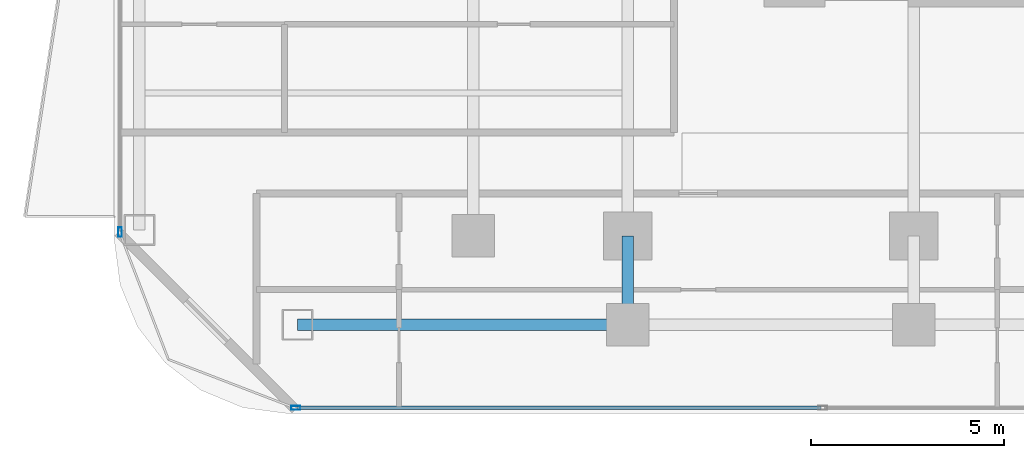
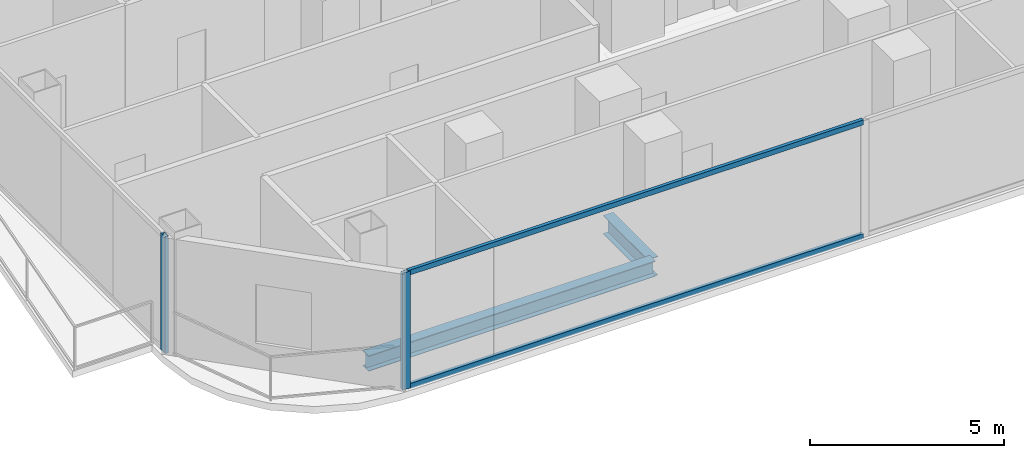
# One storey, part 2 of 28: 4 members, 2 beams, 2 elements without a shape of their own.
"""IFC4 building model written with IfcOpenShell, lengths in metres."""

from ifc_helpers import new_model, si_unit, direction, frame, origin, origin_2d, place, context, subcontext, project, spatial, hollow_rectangle, i_section, extrude, material, layer, layer_set, material_profile, profile_set, type_object, element, aggregate, save


model = new_model("IFC4")

# Units and contexts
model_context = context("Model", 3, precision=1e-05, world=origin(), true_north=direction((0.0, 1.0)))
body_context = subcontext(model_context, "Body", "Model", "MODEL_VIEW")
ifc_project = project(units=[si_unit("LENGTHUNIT", "METRE"), si_unit("AREAUNIT", "SQUARE_METRE"), si_unit("VOLUMEUNIT", "CUBIC_METRE"), si_unit("PLANEANGLEUNIT", "RADIAN"), si_unit("MASSUNIT", "GRAM", prefix="KILO")], contexts=[model_context])

# Site, building, storey
site_placement = place(None, origin())
site = spatial("IfcSite", under=ifc_project, at=site_placement, CompositionType="ELEMENT")
building_placement = place(site_placement, origin())
building = spatial("IfcBuilding", under=site, at=building_placement, Name="Khorvyn Point Tower", CompositionType="ELEMENT")
storey_placement = place(building_placement, frame((0.0, 0.0, 100.800048828125)))
storey = spatial("IfcBuildingStorey", under=building, at=storey_placement, Name="L25", CompositionType="ELEMENT", Elevation=100.800048828125)

# Curtain wall, member
ifc_material_1 = material(Name="Anodised aluminium 6063-T6 and laminated Low-E glass", Category="aluminium")
ifc_layer = layer(ifc_material_1, 0.18994140625)
ifc_layer_set = layer_set([ifc_layer], Name="Stick-Built Finned Residential Curtain Wall CW-SYS-02")
curtain_wall_type = type_object("IfcCurtainWallType", Name="Stick-Built Finned Residential Curtain Wall CW-SYS-02", PredefinedType="NOTDEFINED", material=ifc_layer_set)
curtain_wall_1_placement = place(storey_placement, origin())
curtain_wall_1 = element("IfcCurtainWall", 1, at=curtain_wall_1_placement, inside=storey, type_object=curtain_wall_type, Name="Curtain Wall", PredefinedType="NOTDEFINED")
ifc_material_2 = material(Name="Anodised aluminium 6063-T6", Category="aluminium")
ifc_material_profile_1 = material_profile(ifc_material_2, hollow_rectangle(XDim=0.10009765625, YDim=0.239990234375, WallThickness=0.0048828125, at=origin_2d()))
ifc_profile_set_1 = profile_set([ifc_material_profile_1], Name="Anodised aluminium 6063-T6 ALU-MUL-100x240")
member_type_1 = type_object("IfcMemberType", Name="Anodised Aluminium 6063-T6 Mullion ALU-MUL-100x240", PredefinedType="MULLION", material=ifc_profile_set_1)
member_1_placement = place(storey_placement, frame((-23.39990234375, -19.25, 0.0), z_axis=(0.0, 0.0, 1.0), x_axis=(0.0, -1.0, 0.0)))
member_1 = element("IfcMember", 2, at=member_1_placement, type_object=member_type_1, Name="Transom", PredefinedType="MULLION", context=body_context, shape_type="SweptSolid", body=[
    extrude(hollow_rectangle(XDim=0.10009765625, YDim=0.239990234375, WallThickness=0.0048828125, at=origin_2d()), origin(), (0.0, 0.0, 1.0), 3.679931640625),
])

curtain_wall_2_placement = place(storey_placement, origin())
curtain_wall_2 = element("IfcCurtainWall", 3, at=curtain_wall_2_placement, inside=storey, type_object=curtain_wall_type, Name="Curtain Wall", PredefinedType="NOTDEFINED")
member_2_placement = place(storey_placement, frame((-27.949951171875, -14.699951171875, 0.0), z_axis=(0.0, 0.0, 1.0), x_axis=(-1.0, 0.0, 0.0)))
member_2 = element("IfcMember", 4, at=member_2_placement, type_object=member_type_1, Name="Transom", PredefinedType="MULLION", context=body_context, shape_type="SweptSolid", body=[
    extrude(hollow_rectangle(XDim=0.10009765625, YDim=0.239990234375, WallThickness=0.0048828125, at=origin_2d()), origin(), (0.0, 0.0, 1.0), 3.679931640625),
])
aggregate(curtain_wall_2, [member_2])

# Member
ifc_material_profile_2 = material_profile(ifc_material_2, hollow_rectangle(XDim=0.10009765625, YDim=0.159912109375, WallThickness=0.00439453125, at=origin_2d()))
ifc_profile_set_2 = profile_set([ifc_material_profile_2], Name="Anodised aluminium 6063-T6 ALU-TRN-100x160")
member_type_2 = type_object("IfcMemberType", Name="Anodised Aluminium 6063-T6 Transom ALU-TRN-100x160", PredefinedType="USERDEFINED", material=ifc_profile_set_2)
member_3_placement = place(storey_placement, frame((-9.800048828125, -19.25, 0.050048828125), z_axis=(-1.0, 0.0, 0.0), x_axis=(0.0, -1.0, 0.0)))
member_3 = element("IfcMember", 5, at=member_3_placement, type_object=member_type_2, Name="Transom", ObjectType="TRANSOM", PredefinedType="USERDEFINED", context=body_context, shape_type="SweptSolid", body=[
    extrude(hollow_rectangle(XDim=0.10009765625, YDim=0.159912109375, WallThickness=0.00439453125, at=origin_2d()), origin(), (0.0, 0.0, 1.0), 13.550048828125),
])

member_4_placement = place(storey_placement, frame((-9.800048828125, -19.25, 3.6298828125), z_axis=(-1.0, 0.0, 0.0), x_axis=(0.0, -1.0, 0.0)))
member_4 = element("IfcMember", 6, at=member_4_placement, type_object=member_type_2, Name="Transom", ObjectType="TRANSOM", PredefinedType="USERDEFINED", context=body_context, shape_type="SweptSolid", body=[
    extrude(hollow_rectangle(XDim=0.10009765625, YDim=0.159912109375, WallThickness=0.00439453125, at=origin_2d()), origin(), (0.0, 0.0, 1.0), 13.550048828125),
])

aggregate(curtain_wall_1, [member_1, member_3, member_4])

# Beams
ifc_material_3 = material(Name="Steel S355", Category="steel")
ifc_material_profile_3 = material_profile(ifc_material_3, i_section(OverallWidth=0.300048828125, OverallDepth=0.587890625, WebThickness=0.011962890625, FlangeThickness=0.02001953125, at=origin_2d()))
ifc_profile_set_3 = profile_set([ifc_material_profile_3], Name="Steel S355 H588x300x12x20")
beam_type_1 = type_object("IfcBeamType", Name="Steel S355 Beam H588x300x12x20", PredefinedType="BEAM", material=ifc_profile_set_3)
beam_1_placement = place(storey_placement, frame((-14.800048828125, -17.10009765625, -0.51416015625), z_axis=(0.0, 1.0, 0.0), x_axis=(-1.0, 0.0, 0.0)))
element("IfcBeam", 7, at=beam_1_placement, inside=storey, type_object=beam_type_1, Name="Beam", PredefinedType="BEAM", context=body_context, shape_type="SweptSolid", body=[
    extrude(i_section(OverallWidth=0.300048828125, OverallDepth=0.587890625, WebThickness=0.011962890625, FlangeThickness=0.02001953125, at=origin_2d()), origin(), (0.0, 0.0, 1.0), 2.300048828125),
])
ifc_material_profile_4 = material_profile(ifc_material_3, i_section(OverallWidth=0.300048828125, OverallDepth=0.488037109375, WebThickness=0.010986328125, FlangeThickness=0.01806640625, at=origin_2d()))
ifc_profile_set_4 = profile_set([ifc_material_profile_4], Name="Steel S355 H488x300x11x18")
beam_type_2 = type_object("IfcBeamType", Name="Steel S355 Spandrel H488x300x11x18", PredefinedType="SPANDREL", material=ifc_profile_set_4)
beam_2_placement = place(storey_placement, frame((-23.35009765625, -17.10009765625, -0.464111328125), z_axis=(1.0, 0.0, 0.0), x_axis=(0.0, 1.0, 0.0)))
element("IfcBeam", 8, at=beam_2_placement, inside=storey, type_object=beam_type_2, Name="Beam", PredefinedType="SPANDREL", context=body_context, shape_type="SweptSolid", body=[
    extrude(i_section(OverallWidth=0.300048828125, OverallDepth=0.488037109375, WebThickness=0.010986328125, FlangeThickness=0.01806640625, at=origin_2d()), origin(), (0.0, 0.0, 1.0), 8.550048828125),
])

save(model, "model.ifc")
